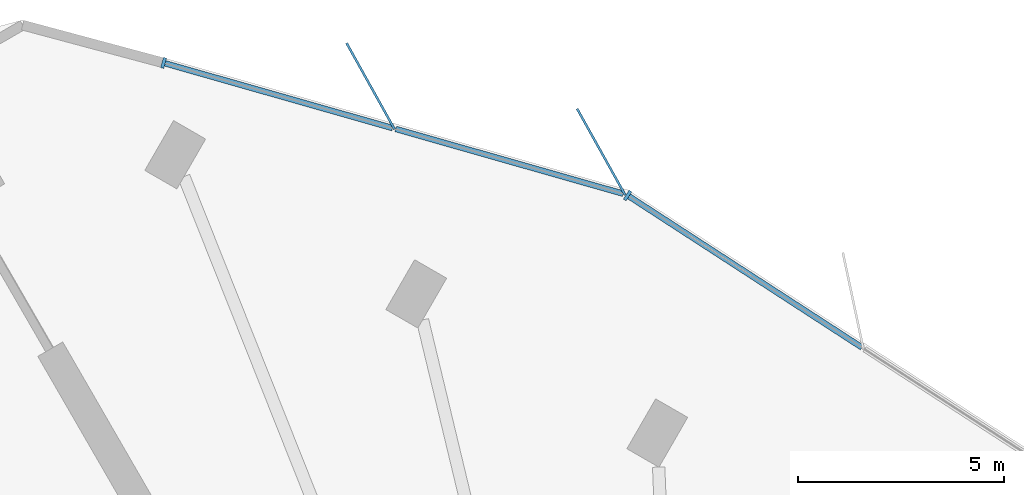
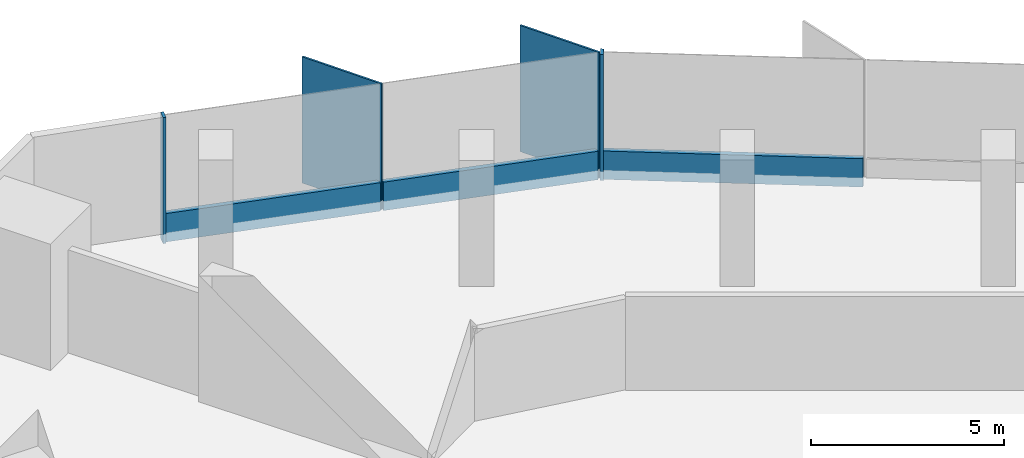
# One storey, part 6 of 14: 7 members, 2 elements without a shape of their own.
"""IFC4 building model written with IfcOpenShell, lengths in metres."""

from ifc_helpers import new_model, si_unit, direction, frame, origin, origin_2d, place, context, subcontext, project, spatial, rectangle, extrude, material, material_profile, profile_set, type_object, element, aggregate, save


model = new_model("IFC4")

# Units and contexts
model_context = context("Model", 3, precision=1e-05, world=origin(), true_north=direction((0.0, 1.0)))
body_context = subcontext(model_context, "Body", "Model", "MODEL_VIEW")
ifc_project = project(units=[si_unit("LENGTHUNIT", "METRE"), si_unit("AREAUNIT", "SQUARE_METRE"), si_unit("VOLUMEUNIT", "CUBIC_METRE"), si_unit("PLANEANGLEUNIT", "RADIAN"), si_unit("MASSUNIT", "GRAM", prefix="KILO")], contexts=[model_context])

# Site, building, storey
site_placement = place(None, origin())
site = spatial("IfcSite", under=ifc_project, at=site_placement, CompositionType="ELEMENT")
building_placement = place(site_placement, origin())
building = spatial("IfcBuilding", under=site, at=building_placement, Name="Tanit Gate Tower", CompositionType="ELEMENT")
storey_placement = place(building_placement, frame((0.0, 0.0, 261.199951171875)))
storey = spatial("IfcBuildingStorey", under=building, at=storey_placement, Name="L59", CompositionType="ELEMENT", Elevation=261.199951171875)

# Curtain wall, members
ifc_material_1 = material(Name="Aluminium bronze anodised and glass", Category="aluminium")
curtain_wall_type = type_object("IfcCurtainWallType", Name="Curtain wall typical mid", PredefinedType="NOTDEFINED", material=ifc_material_1)
curtain_wall_1_placement = place(storey_placement, origin())
curtain_wall_1 = element("IfcCurtainWall", 1, at=curtain_wall_1_placement, inside=storey, type_object=curtain_wall_type, Name="Curtain wall L59 NE3", PredefinedType="NOTDEFINED")
ifc_material_2 = material(Name="Aluminium bronze anodised", Category="aluminium")
ifc_material_profile_1 = material_profile(ifc_material_2, rectangle(XDim=2.39990234375, YDim=0.055908203125, at=origin_2d()), Name="56x2400 bronze fin mullion")
ifc_profile_set_1 = profile_set([ifc_material_profile_1], Name="Aluminium bronze anodised")
member_type_1 = type_object("IfcMemberType", Name="FIN MULLION 56x2400 bronze", PredefinedType="MULLION", material=ifc_profile_set_1)
member_1_placement = place(storey_placement, frame((-2.39111328125, 32.15283203125, -0.300048828125), z_axis=(0.0, 0.0, 1.0), x_axis=(0.486530745406, -0.873663455671, 0.0)))
member_1 = element("IfcMember", 2, at=member_1_placement, type_object=member_type_1, Name="Fin mullion L59 NE3.1", PredefinedType="MULLION", context=body_context, shape_type="SweptSolid", body=[
    extrude(rectangle(XDim=2.39990234375, YDim=0.055908203125, at=origin_2d()), origin(), (0.0, 0.0, 1.0), 4.0),
])
member_2_placement = place(storey_placement, frame((-7.999267578125, 33.7490234375, -0.300048828125), z_axis=(0.0, 0.0, 1.0), x_axis=(0.486530745406, -0.873663455671, 0.0)))
member_2 = element("IfcMember", 3, at=member_2_placement, type_object=member_type_1, Name="Fin mullion L59 NE3.2", PredefinedType="MULLION", context=body_context, shape_type="SweptSolid", body=[
    extrude(rectangle(XDim=2.39990234375, YDim=0.055908203125, at=origin_2d()), origin(), (0.0, 0.0, 1.0), 4.0),
])

# Curtain wall, member
curtain_wall_2_placement = place(storey_placement, origin())
curtain_wall_2 = element("IfcCurtainWall", 4, at=curtain_wall_2_placement, inside=storey, type_object=curtain_wall_type, Name="Curtain wall L59 NE2", PredefinedType="NOTDEFINED")
ifc_material_3 = material(Name="Aluminium bronze anodised", Category="aluminium")
ifc_material_profile_2 = material_profile(ifc_material_3, rectangle(XDim=0.260009765625, YDim=0.080078125, at=origin_2d()), Name="80x260 bronze mullion")
ifc_profile_set_2 = profile_set([ifc_material_profile_2], Name="Aluminium bronze anodised")
member_type_2 = type_object("IfcMemberType", Name="Mullion 80x260 typical mid", PredefinedType="MULLION", material=ifc_profile_set_2)
member_3_placement = place(storey_placement, frame((-1.74560546875, 31.090087890625, -0.300048828125), z_axis=(0.0, 0.0, 1.0), x_axis=(-0.544243323092, -0.838927413588, 0.0)))
member_3 = element("IfcMember", 5, at=member_3_placement, type_object=member_type_2, Name="Mullion L59 NE2.6", PredefinedType="MULLION", context=body_context, shape_type="SweptSolid", body=[
    extrude(rectangle(XDim=0.260009765625, YDim=0.080078125, at=origin_2d()), origin(), (0.0, 0.0, 1.0), 4.0),
])

# Member
member_4_placement = place(storey_placement, frame((-13.03369140625, 34.315185546875, -0.300048828125), z_axis=(0.0, 0.0, 1.0), x_axis=(-0.273744164647, -0.961802543312, 0.0)))
member_4 = element("IfcMember", 6, at=member_4_placement, type_object=member_type_2, Name="Mullion L59 NE3.3", PredefinedType="MULLION", context=body_context, shape_type="SweptSolid", body=[
    extrude(rectangle(XDim=0.260009765625, YDim=0.080078125, at=origin_2d()), origin(), (0.0, 0.0, 1.0), 4.0),
])

ifc_material_4 = material(Name="Aluminium bronze anodised", Category="aluminium")
ifc_material_profile_3 = material_profile(ifc_material_4, rectangle(XDim=0.139892578125, YDim=0.89990234375, at=origin_2d()), Name="140x900 bronze transom")
ifc_profile_set_3 = profile_set([ifc_material_profile_3], Name="Aluminium bronze anodised")
member_type_3 = type_object("IfcMemberType", Name="Transom 140x900 typical mid", PredefinedType="USERDEFINED", material=ifc_profile_set_3)
member_5_placement = place(storey_placement, frame((3.952880859375, 27.393310546875, 0.150146484375), z_axis=(-0.838921578545, 0.544252317452, 0.0), x_axis=(-0.544252317452, -0.838921578545, 0.0)))
member_5 = element("IfcMember", 7, at=member_5_placement, type_object=member_type_3, Name="Transom L59 NE2.5", ObjectType="TRANSOM", PredefinedType="USERDEFINED", context=body_context, shape_type="SweptSolid", body=[
    extrude(rectangle(XDim=0.139892578125, YDim=0.89990234375, at=origin_2d()), origin(), (0.0, 0.0, 1.0), 6.75244140625),
])

aggregate(curtain_wall_2, [member_3, member_5])

member_6_placement = place(storey_placement, frame((-1.85595703125, 31.1337890625, 0.150146484375), z_axis=(-0.961805390382, 0.273734161246, 0.0), x_axis=(-0.273734161246, -0.961805390382, 0.0)))
member_6 = element("IfcMember", 8, at=member_6_placement, type_object=member_type_3, Name="Transom L59 NE3.1", ObjectType="TRANSOM", PredefinedType="USERDEFINED", context=body_context, shape_type="SweptSolid", body=[
    extrude(rectangle(XDim=0.139892578125, YDim=0.89990234375, at=origin_2d()), origin(), (0.0, 0.0, 1.0), 5.7509765625),
])

member_7_placement = place(storey_placement, frame((-7.464111328125, 32.72998046875, 0.150146484375), z_axis=(-0.961805390382, 0.273734161246, 0.0), x_axis=(-0.273734161246, -0.961805390382, 0.0)))
member_7 = element("IfcMember", 9, at=member_7_placement, type_object=member_type_3, Name="Transom L59 NE3.2", ObjectType="TRANSOM", PredefinedType="USERDEFINED", context=body_context, shape_type="SweptSolid", body=[
    extrude(rectangle(XDim=0.139892578125, YDim=0.89990234375, at=origin_2d()), origin(), (0.0, 0.0, 1.0), 5.7509765625),
])

aggregate(curtain_wall_1, [member_1, member_2, member_4, member_6, member_7])

save(model, "model.ifc")
